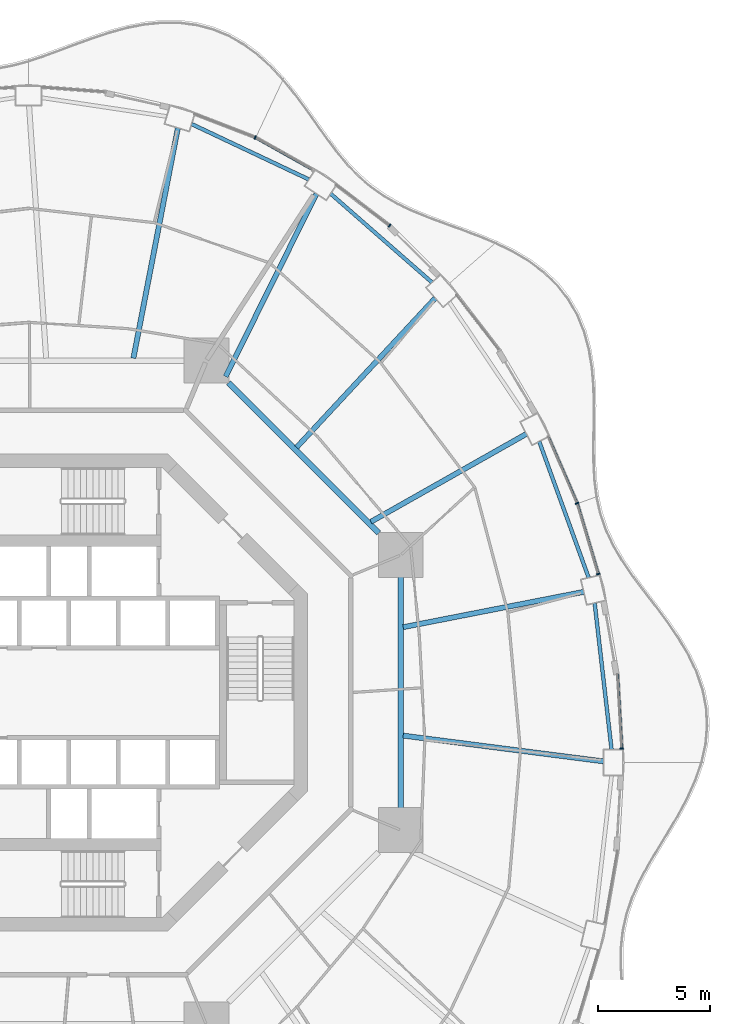
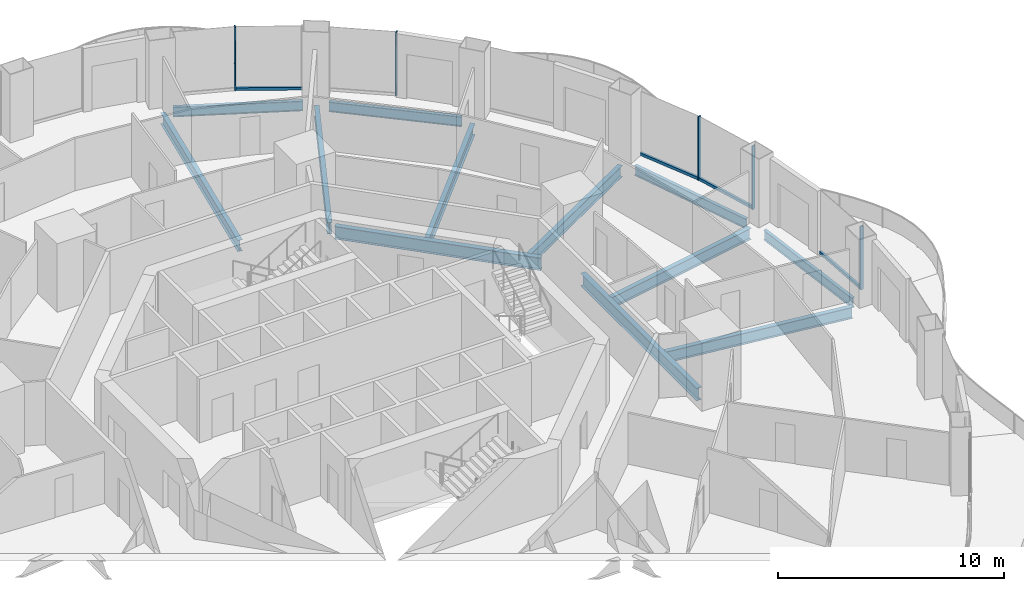
# One storey, part 8 of 20: 12 beams, 9 members, 6 elements without a shape of their own.
"""IFC4 building model written with IfcOpenShell, lengths in metres."""

from ifc_helpers import new_model, si_unit, direction, frame, origin, origin_2d, place, context, subcontext, project, spatial, rectangle, i_section, extrude, material, layer, layer_set, material_profile, profile_set, type_object, element, aggregate, save


model = new_model("IFC4")

# Units and contexts
model_context = context("Model", 3, precision=1e-05, world=origin(), true_north=direction((0.0, 1.0)))
body_context = subcontext(model_context, "Body", "Model", "MODEL_VIEW")
ifc_project = project(units=[si_unit("LENGTHUNIT", "METRE"), si_unit("AREAUNIT", "SQUARE_METRE"), si_unit("VOLUMEUNIT", "CUBIC_METRE"), si_unit("PLANEANGLEUNIT", "RADIAN"), si_unit("MASSUNIT", "GRAM", prefix="KILO")], contexts=[model_context])

# Site, building, storey
site_placement = place(None, origin())
site = spatial("IfcSite", under=ifc_project, at=site_placement, CompositionType="ELEMENT")
building_placement = place(site_placement, origin())
building = spatial("IfcBuilding", under=site, at=building_placement, Name="Nagisa Residences", CompositionType="ELEMENT")
storey_placement = place(building_placement, frame((0.0, 0.0, 145.5)))
storey = spatial("IfcBuildingStorey", under=building, at=storey_placement, Name="L36", CompositionType="ELEMENT", Elevation=145.5)

# Curtain wall, member
ifc_material_1 = material(Name="Concrete-coloured aluminium curtain wall system", Category="concrete")
ifc_layer = layer(ifc_material_1, 0.159912109375)
ifc_layer_set = layer_set([ifc_layer], Name="CW1 CURTAIN WALL")
curtain_wall_type = type_object("IfcCurtainWallType", Name="CW1 CURTAIN WALL", PredefinedType="NOTDEFINED", material=ifc_layer_set)
curtain_wall_1_placement = place(storey_placement, origin())
curtain_wall_1 = element("IfcCurtainWall", 1, at=curtain_wall_1_placement, inside=storey, type_object=curtain_wall_type, Name="cw:CW1:L36:00", PredefinedType="NOTDEFINED")
ifc_material_2 = material(Name="Concrete-coloured aluminium", Category="concrete")
ifc_material_profile_1 = material_profile(ifc_material_2, rectangle(XDim=0.159912109375, YDim=0.06005859375, at=origin_2d()), Name="CW1 MULLION 160x60")
ifc_profile_set_1 = profile_set([ifc_material_profile_1], Name="Concrete-coloured aluminium")
member_type_1 = type_object("IfcMemberType", Name="CW1 MULLION 160x60", PredefinedType="MULLION", material=ifc_profile_set_1)
member_1_placement = place(storey_placement, frame((24.618896484375, -2.493408203125, 0.0), z_axis=(0.0, 0.0, 1.0), x_axis=(-0.998345305184, -0.057503492216, 0.0)))
member_1 = element("IfcMember", 2, at=member_1_placement, type_object=member_type_1, Name="CW1 mullion", PredefinedType="MULLION", context=body_context, shape_type="SweptSolid", body=[
    extrude(rectangle(XDim=0.159912109375, YDim=0.06005859375, at=origin_2d()), origin(), (0.0, 0.0, 1.0), 3.43994140625),
])

curtain_wall_2_placement = place(storey_placement, origin())
curtain_wall_2 = element("IfcCurtainWall", 3, at=curtain_wall_2_placement, inside=storey, type_object=curtain_wall_type, Name="cw:CW1:L36:02", PredefinedType="NOTDEFINED")
member_2_placement = place(storey_placement, frame((23.573974609375, 5.278076171875, 0.0), z_axis=(0.0, 0.0, 1.0), x_axis=(-0.958271310082, -0.285860274038, 0.0)))
member_2 = element("IfcMember", 4, at=member_2_placement, type_object=member_type_1, Name="CW1 mullion", PredefinedType="MULLION", context=body_context, shape_type="SweptSolid", body=[
    extrude(rectangle(XDim=0.159912109375, YDim=0.06005859375, at=origin_2d()), origin(), (0.0, 0.0, 1.0), 3.43994140625),
])

curtain_wall_3_placement = place(storey_placement, origin())
curtain_wall_3 = element("IfcCurtainWall", 5, at=curtain_wall_3_placement, inside=storey, type_object=curtain_wall_type, Name="cw:CW1:L36:03", PredefinedType="NOTDEFINED")
member_3_placement = place(storey_placement, frame((22.6298828125, 8.43310546875, 0.0), z_axis=(0.0, 0.0, 1.0), x_axis=(-0.917543276295, -0.397635934147, 0.0)))
member_3 = element("IfcMember", 6, at=member_3_placement, type_object=member_type_1, Name="CW1 mullion", PredefinedType="MULLION", context=body_context, shape_type="SweptSolid", body=[
    extrude(rectangle(XDim=0.159912109375, YDim=0.06005859375, at=origin_2d()), origin(), (0.0, 0.0, 1.0), 3.43994140625),
])

curtain_wall_4_placement = place(storey_placement, origin())
curtain_wall_4 = element("IfcCurtainWall", 7, at=curtain_wall_4_placement, inside=storey, type_object=curtain_wall_type, Name="cw:CW1:L36:07", PredefinedType="NOTDEFINED")
member_4_placement = place(storey_placement, frame((14.28125, 20.7919921875, 0.0), z_axis=(0.0, 0.0, 1.0), x_axis=(-0.605255421737, -0.79603132756, 0.0)))
member_4 = element("IfcMember", 8, at=member_4_placement, type_object=member_type_1, Name="CW1 mullion", PredefinedType="MULLION", context=body_context, shape_type="SweptSolid", body=[
    extrude(rectangle(XDim=0.159912109375, YDim=0.06005859375, at=origin_2d()), origin(), (0.0, 0.0, 1.0), 3.43994140625),
])
aggregate(curtain_wall_4, [member_4])

curtain_wall_5_placement = place(storey_placement, origin())
curtain_wall_5 = element("IfcCurtainWall", 9, at=curtain_wall_5_placement, inside=storey, type_object=curtain_wall_type, Name="cw:CW1:L36:09", PredefinedType="NOTDEFINED")
member_5_placement = place(storey_placement, frame((8.297607421875, 24.715087890625, 0.0), z_axis=(0.0, 0.0, 1.0), x_axis=(-0.360327770268, -0.932825759707, 0.0)))
member_5 = element("IfcMember", 10, at=member_5_placement, type_object=member_type_1, Name="CW1 mullion", PredefinedType="MULLION", context=body_context, shape_type="SweptSolid", body=[
    extrude(rectangle(XDim=0.159912109375, YDim=0.06005859375, at=origin_2d()), origin(), (0.0, 0.0, 1.0), 3.43994140625),
])
aggregate(curtain_wall_5, [member_5])

# Member
ifc_material_3 = material(Name="Concrete-coloured aluminium", Category="concrete")
ifc_material_profile_2 = material_profile(ifc_material_3, rectangle(XDim=0.1201171875, YDim=0.14990234375, at=origin_2d()), Name="CW1 TRANSOM 120x150")
ifc_profile_set_2 = profile_set([ifc_material_profile_2], Name="Concrete-coloured aluminium")
member_type_2 = type_object("IfcMemberType", Name="CW1 TRANSOM 120x150", PredefinedType="USERDEFINED", material=ifc_profile_set_2)
member_6_placement = place(storey_placement, frame((24.62060546875, -2.523193359375, 0.074951171875), z_axis=(-0.057469329432, 0.998347272333, 0.0), x_axis=(-0.998347272333, -0.057469329432, 0.0)))
member_6 = element("IfcMember", 11, at=member_6_placement, type_object=member_type_2, Name="CW1 transom", ObjectType="TRANSOM", PredefinedType="USERDEFINED", context=body_context, shape_type="SweptSolid", body=[
    extrude(rectangle(XDim=0.1201171875, YDim=0.14990234375, at=origin_2d()), origin(), (0.0, 0.0, 1.0), 3.34765625),
])

aggregate(curtain_wall_1, [member_1, member_6])

member_7_placement = place(storey_placement, frame((23.582763671875, 5.24951171875, 0.074951171875), z_axis=(-0.285909915381, 0.958256500258, 0.0), x_axis=(-0.958256500258, -0.285909915381, 0.0)))
member_7 = element("IfcMember", 12, at=member_7_placement, type_object=member_type_2, Name="CW1 transom", ObjectType="TRANSOM", PredefinedType="USERDEFINED", context=body_context, shape_type="SweptSolid", body=[
    extrude(rectangle(XDim=0.1201171875, YDim=0.14990234375, at=origin_2d()), origin(), (0.0, 0.0, 1.0), 3.302978515625),
])

aggregate(curtain_wall_2, [member_2, member_7])

member_8_placement = place(storey_placement, frame((22.641845703125, 8.405517578125, 0.074951171875), z_axis=(-0.397638954585, 0.917541967321, 0.0), x_axis=(-0.917541967321, -0.397638954585, 0.0)))
member_8 = element("IfcMember", 13, at=member_8_placement, type_object=member_type_2, Name="CW1 transom", ObjectType="TRANSOM", PredefinedType="USERDEFINED", context=body_context, shape_type="SweptSolid", body=[
    extrude(rectangle(XDim=0.1201171875, YDim=0.14990234375, at=origin_2d()), origin(), (0.0, 0.0, 1.0), 3.2607421875),
])

aggregate(curtain_wall_3, [member_3, member_8])

# Curtain wall, member
curtain_wall_6_placement = place(storey_placement, origin())
curtain_wall_6 = element("IfcCurtainWall", 14, at=curtain_wall_6_placement, inside=storey, type_object=curtain_wall_type, Name="cw:CW1:L36:08", PredefinedType="NOTDEFINED")
member_9_placement = place(storey_placement, frame((10.905029296875, 23.255859375, 0.074951171875), z_axis=(-0.872082282638, 0.489359267112, 0.0), x_axis=(-0.489359267112, -0.872082282638, 0.0)))
member_9 = element("IfcMember", 15, at=member_9_placement, type_object=member_type_2, Name="CW1 transom", ObjectType="TRANSOM", PredefinedType="USERDEFINED", context=body_context, shape_type="SweptSolid", body=[
    extrude(rectangle(XDim=0.1201171875, YDim=0.14990234375, at=origin_2d()), origin(), (0.0, 0.0, 1.0), 2.969482421875),
])
aggregate(curtain_wall_6, [member_9])

# Beams
ifc_material_4 = material(Name="Steel ASTM A572 Gr 50", Category="steel")
ifc_material_profile_3 = material_profile(ifc_material_4, i_section(OverallWidth=0.25390625, OverallDepth=0.68408203125, WebThickness=0.012451171875, FlangeThickness=0.018798828125, at=origin_2d()), Name="W690x140")
ifc_profile_set_3 = profile_set([ifc_material_profile_3], Name="Steel ASTM A572 Gr 50")
beam_type_1 = type_object("IfcBeamType", Name="Inner ring beam W690x140", PredefinedType="BEAM", material=ifc_profile_set_3)
beam_1_placement = place(storey_placement, frame((13.796142578125, 7.10888671875, -0.60205078125), z_axis=(-0.707106781187, 0.707106781187, 0.0), x_axis=(-0.707106781187, -0.707106781187, 0.0)))
element("IfcBeam", 16, at=beam_1_placement, inside=storey, type_object=beam_type_1, Name="beam:L36:ib1", PredefinedType="BEAM", context=body_context, shape_type="SweptSolid", body=[
    extrude(i_section(OverallWidth=0.25390625, OverallDepth=0.68408203125, WebThickness=0.012451171875, FlangeThickness=0.018798828125, at=origin_2d()), origin(), (0.0, 0.0, 1.0), 9.457275390625),
])
beam_2_placement = place(storey_placement, frame((14.781982421875, -5.142822265625, -0.60205078125), z_axis=(0.0, 1.0, 0.0), x_axis=(-1.0, 0.0, 0.0)))
element("IfcBeam", 17, at=beam_2_placement, inside=storey, type_object=beam_type_1, Name="beam:L36:ib8", PredefinedType="BEAM", context=body_context, shape_type="SweptSolid", body=[
    extrude(i_section(OverallWidth=0.25390625, OverallDepth=0.68408203125, WebThickness=0.012451171875, FlangeThickness=0.018798828125, at=origin_2d()), origin(), (0.0, 0.0, 1.0), 10.28564453125),
])
ifc_material_5 = material(Name="Steel ASTM A572 Gr 50", Category="steel")
ifc_material_profile_4 = material_profile(ifc_material_5, i_section(OverallWidth=0.166015625, OverallDepth=0.534912109375, WebThickness=0.01025390625, FlangeThickness=0.0166015625, at=origin_2d()), Name="W530x85")
ifc_profile_set_4 = profile_set([ifc_material_profile_4], Name="Steel ASTM A572 Gr 50")
beam_type_2 = type_object("IfcBeamType", Name="Perimeter ring beam W530x85", PredefinedType="BEAM", material=ifc_profile_set_4)
beam_3_placement = place(storey_placement, frame((24.16796875, -2.53759765625, -0.527587890625), z_axis=(-0.114660786771, 0.993404703017, 0.0), x_axis=(-0.993404703017, -0.114660786771, 0.0)))
element("IfcBeam", 18, at=beam_3_placement, inside=storey, type_object=beam_type_2, Name="beam:L36:pb01", PredefinedType="BEAM", context=body_context, shape_type="SweptSolid", body=[
    extrude(i_section(OverallWidth=0.166015625, OverallDepth=0.534912109375, WebThickness=0.01025390625, FlangeThickness=0.0166015625, at=origin_2d()), origin(), (0.0, 0.0, 1.0), 6.568603515625),
])
beam_4_placement = place(storey_placement, frame((23.1484375, 5.116943359375, -0.527587890625), z_axis=(-0.341332802315, 0.93994250785, 0.0), x_axis=(-0.93994250785, -0.341332802315, 0.0)))
element("IfcBeam", 19, at=beam_4_placement, inside=storey, type_object=beam_type_2, Name="beam:L36:pb02", PredefinedType="BEAM", context=body_context, shape_type="SweptSolid", body=[
    extrude(i_section(OverallWidth=0.166015625, OverallDepth=0.534912109375, WebThickness=0.01025390625, FlangeThickness=0.0166015625, at=origin_2d()), origin(), (0.0, 0.0, 1.0), 6.450927734375),
])
beam_5_placement = place(storey_placement, frame((16.169189453125, 18.26513671875, -0.527587890625), z_axis=(-0.752503526528, 0.658588219272, 0.0), x_axis=(-0.658588219272, -0.752503526528, 0.0)))
element("IfcBeam", 20, at=beam_5_placement, inside=storey, type_object=beam_type_2, Name="beam:L36:pb04", PredefinedType="BEAM", context=body_context, shape_type="SweptSolid", body=[
    extrude(i_section(OverallWidth=0.166015625, OverallDepth=0.534912109375, WebThickness=0.01025390625, FlangeThickness=0.0166015625, at=origin_2d()), origin(), (0.0, 0.0, 1.0), 5.99462890625),
])
beam_6_placement = place(storey_placement, frame((10.687744140625, 22.84912109375, -0.527587890625), z_axis=(-0.904169699539, 0.427173447719, 0.0), x_axis=(-0.427173447719, -0.904169699539, 0.0)))
element("IfcBeam", 21, at=beam_6_placement, inside=storey, type_object=beam_type_2, Name="beam:L36:pb05", PredefinedType="BEAM", context=body_context, shape_type="SweptSolid", body=[
    extrude(i_section(OverallWidth=0.166015625, OverallDepth=0.534912109375, WebThickness=0.01025390625, FlangeThickness=0.0166015625, at=origin_2d()), origin(), (0.0, 0.0, 1.0), 5.7724609375),
])
ifc_material_6 = material(Name="Steel ASTM A572 Gr 50", Category="steel")
ifc_material_profile_5 = material_profile(ifc_material_6, i_section(OverallWidth=0.22900390625, OverallDepth=0.612060546875, WebThickness=0.011962890625, FlangeThickness=0.01953125, at=origin_2d()), Name="W610x125")
ifc_profile_set_5 = profile_set([ifc_material_profile_5], Name="Steel ASTM A572 Gr 50")
beam_type_3 = type_object("IfcBeamType", Name="Radial beam W610x125", PredefinedType="BEAM", material=ifc_profile_set_5)
beam_7_placement = place(storey_placement, frame((23.804931640625, -3.062255859375, -0.56591796875), z_axis=(-0.991829934558, 0.127567162371, 0.0), x_axis=(-0.127567162371, -0.991829934558, 0.0)))
element("IfcBeam", 22, at=beam_7_placement, inside=storey, type_object=beam_type_3, Name="beam:L36:rb01", PredefinedType="BEAM", context=body_context, shape_type="SweptSolid", body=[
    extrude(i_section(OverallWidth=0.22900390625, OverallDepth=0.612060546875, WebThickness=0.011962890625, FlangeThickness=0.01953125, at=origin_2d()), origin(), (0.0, 0.0, 1.0), 8.9892578125),
])
beam_8_placement = place(storey_placement, frame((22.925537109375, 4.4853515625, -0.56591796875), z_axis=(-0.981393143406, -0.192009109355, 0.0), x_axis=(0.192009109355, -0.981393143406, 0.0)))
element("IfcBeam", 23, at=beam_8_placement, inside=storey, type_object=beam_type_3, Name="beam:L36:rb02", PredefinedType="BEAM", context=body_context, shape_type="SweptSolid", body=[
    extrude(i_section(OverallWidth=0.22900390625, OverallDepth=0.612060546875, WebThickness=0.011962890625, FlangeThickness=0.01953125, at=origin_2d()), origin(), (0.0, 0.0, 1.0), 8.1884765625),
])
beam_9_placement = place(storey_placement, frame((20.372314453125, 11.51806640625, -0.56591796875), z_axis=(-0.870505636565, -0.492158446751, 0.0), x_axis=(0.492158446751, -0.870505636565, 0.0)))
element("IfcBeam", 24, at=beam_9_placement, inside=storey, type_object=beam_type_3, Name="beam:L36:rb03", PredefinedType="BEAM", context=body_context, shape_type="SweptSolid", body=[
    extrude(i_section(OverallWidth=0.22900390625, OverallDepth=0.612060546875, WebThickness=0.011962890625, FlangeThickness=0.01953125, at=origin_2d()), origin(), (0.0, 0.0, 1.0), 7.949951171875),
])
beam_10_placement = place(storey_placement, frame((16.315185546875, 17.56298828125, -0.56591796875), z_axis=(-0.680605908425, -0.7326497099, 0.0), x_axis=(0.7326497099, -0.680605908425, 0.0)))
element("IfcBeam", 25, at=beam_10_placement, inside=storey, type_object=beam_type_3, Name="beam:L36:rb04", PredefinedType="BEAM", context=body_context, shape_type="SweptSolid", body=[
    extrude(i_section(OverallWidth=0.22900390625, OverallDepth=0.612060546875, WebThickness=0.011962890625, FlangeThickness=0.01953125, at=origin_2d()), origin(), (0.0, 0.0, 1.0), 9.072509765625),
])
beam_11_placement = place(storey_placement, frame((11.02490234375, 22.2109375, -0.56591796875), z_axis=(-0.444599872799, -0.895729285614, 0.0), x_axis=(0.895729285614, -0.444599872799, 0.0)))
element("IfcBeam", 26, at=beam_11_placement, inside=storey, type_object=beam_type_3, Name="beam:L36:rb05", PredefinedType="BEAM", context=body_context, shape_type="SweptSolid", body=[
    extrude(i_section(OverallWidth=0.22900390625, OverallDepth=0.612060546875, WebThickness=0.011962890625, FlangeThickness=0.01953125, at=origin_2d()), origin(), (0.0, 0.0, 1.0), 9.085693359375),
])
beam_12_placement = place(storey_placement, frame((4.8564453125, 25.140869140625, -0.56591796875), z_axis=(-0.189659094365, -0.981850002762, 0.0), x_axis=(0.981850002762, -0.189659094365, 0.0)))
element("IfcBeam", 27, at=beam_12_placement, inside=storey, type_object=beam_type_3, Name="beam:L36:rb06", PredefinedType="BEAM", context=body_context, shape_type="SweptSolid", body=[
    extrude(i_section(OverallWidth=0.22900390625, OverallDepth=0.612060546875, WebThickness=0.011962890625, FlangeThickness=0.01953125, at=origin_2d()), origin(), (0.0, 0.0, 1.0), 10.44091796875),
])

save(model, "model.ifc")
